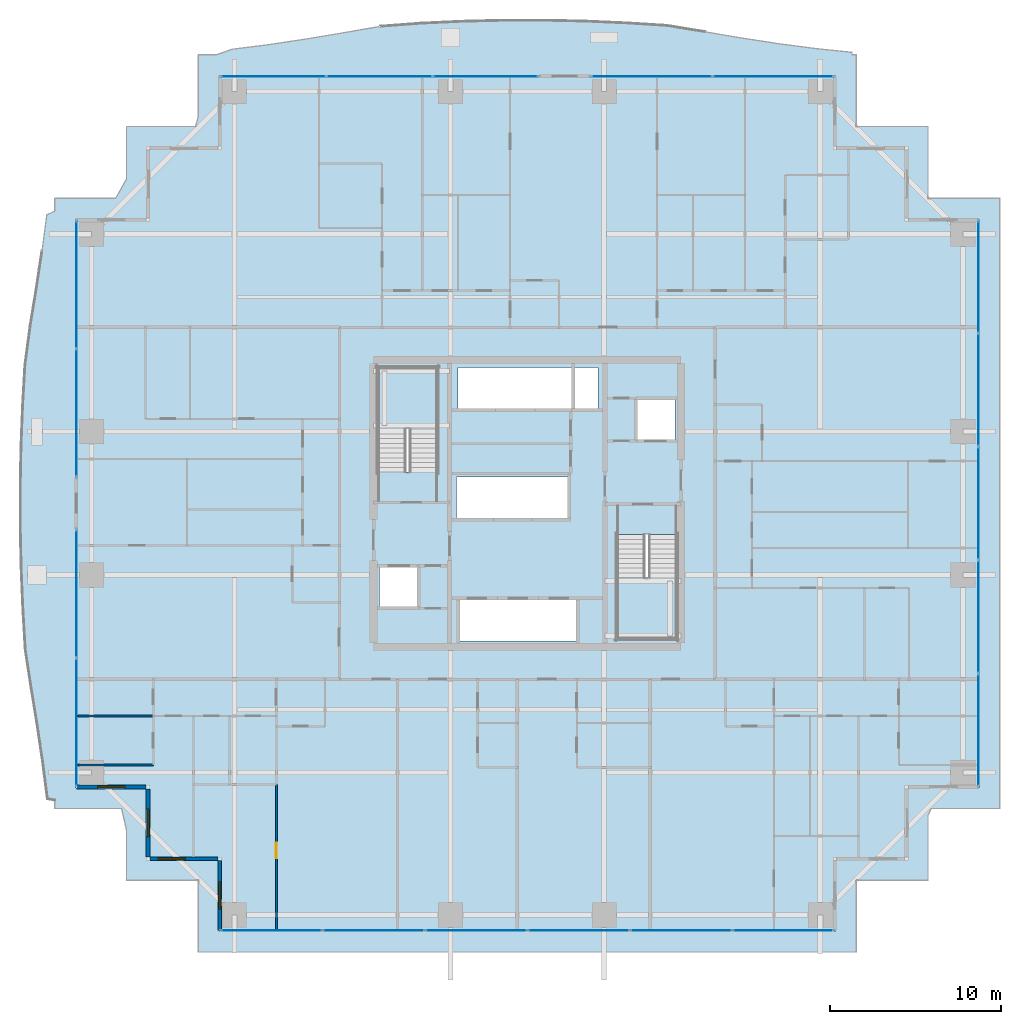
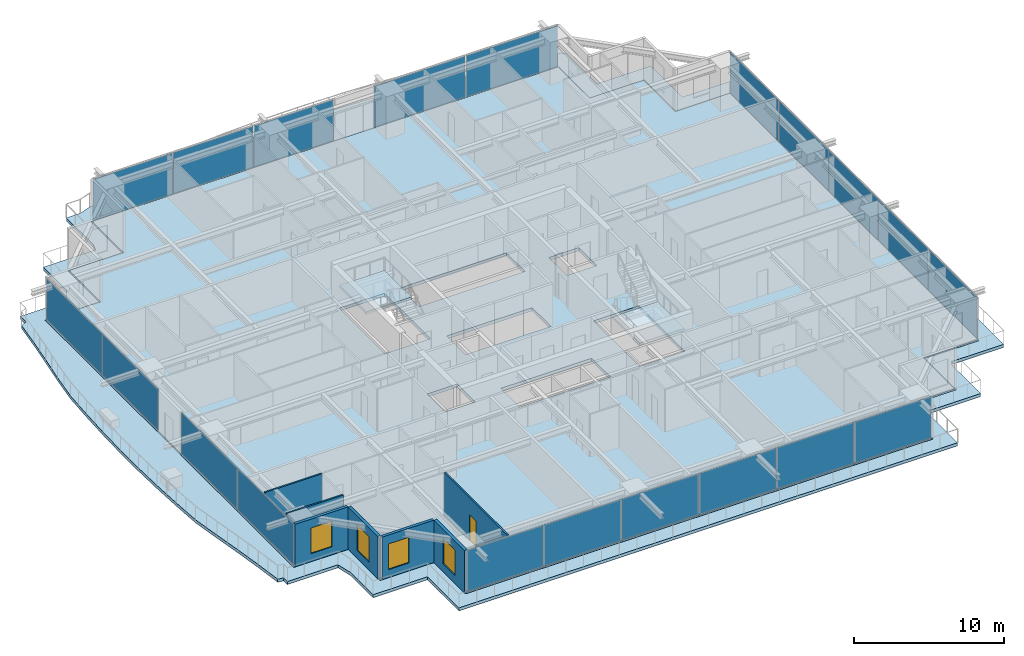
# One storey, part 22 of 35: 20 plates, 7 walls, 4 slabs, 4 windows, 1 door, 5 openings, 8 elements without a shape of their own.
"""IFC4 building model written with IfcOpenShell, lengths in metres."""

from ifc_helpers import new_model, si_unit, direction, frame, frame_2d, origin, origin_2d, place, context, subcontext, project, spatial, polyline, rectangle, outline, extrude, source, transform, mapped, material, layer, layer_set, type_object, element, fill, aggregate, save


model = new_model("IFC4")

# Units and contexts
model_context = context("Model", 3, precision=1e-05, world=origin(), true_north=direction((0.0, 1.0)))
body_context = subcontext(model_context, "Body", "Model", "MODEL_VIEW")
ifc_project = project(units=[si_unit("LENGTHUNIT", "METRE"), si_unit("AREAUNIT", "SQUARE_METRE"), si_unit("VOLUMEUNIT", "CUBIC_METRE"), si_unit("PLANEANGLEUNIT", "RADIAN"), si_unit("MASSUNIT", "GRAM", prefix="KILO")], contexts=[model_context])

# Site, building, storey
site_placement = place(None, origin())
site = spatial("IfcSite", under=ifc_project, at=site_placement, CompositionType="ELEMENT")
building_placement = place(site_placement, origin())
building = spatial("IfcBuilding", under=site, at=building_placement, Name="Serunith Strait Residences", CompositionType="ELEMENT")
storey_placement = place(building_placement, frame((0.0, 0.0, 56.699951171875)))
storey = spatial("IfcBuildingStorey", under=building, at=storey_placement, Name="L13", CompositionType="ELEMENT", Elevation=56.699951171875)

# Slab
ifc_material_1 = material(Name="Concrete C50/60", Category="concrete")
ifc_layer_1 = layer(ifc_material_1, 0.239990234375, Name="Concrete C50/60")
ifc_layer_set_1 = layer_set([ifc_layer_1], Name="Concrete C50/60")
slab_type_1 = type_object("IfcSlabType", Name="SLB-BALC-240", PredefinedType="FLOOR", material=ifc_layer_set_1)
slab_1_placement = place(storey_placement, frame((0.0, 0.0, -0.2900390625)))
element("IfcSlab", 1, at=slab_1_placement, inside=storey, type_object=slab_type_1, Name="L13 Planted Vertical-Forest Balcony Slab", PredefinedType="FLOOR", context=body_context, shape_type="SweptSolid", body=[
    extrude(outline(polyline([(4.739990234375, 7.830078125), (4.31982421875, 7.898193359375), (4.046630859375, 10.02978515625), (3.726806640625, 12.184814453125), (3.3720703125, 14.378662109375), (3.024169921875, 16.632080078125), (2.885498046875, 18.98583984375), (2.785400390625, 21.3671875), (2.731689453125, 23.76708984375), (2.728515625, 26.174072265625), (2.77587890625, 28.57568359375), (2.8701171875, 30.960693359375), (3.00341796875, 33.3193359375), (3.310302734375, 35.594482421875), (3.66796875, 37.797607421875), (3.994384765625, 39.958740234375), (4.275390625, 42.09423828125), (4.739990234375, 42.3076171875), (4.739990234375, 43.06005859375), (8.30126953125, 43.06005859375), (8.93994140625, 44.177978515625), (8.93994140625, 47.260009765625), (12.981689453125, 47.260009765625), (13.139892578125, 47.857666015625), (13.139892578125, 51.4599609375), (14.21484375, 51.4599609375), (15.10595703125, 51.779052734375), (17.231689453125, 52.046630859375), (19.377197265625, 52.368408203125), (21.560546875, 52.734619140625), (23.80078125, 53.11962890625), (26.1533203125, 53.29638671875), (28.544921875, 53.407470703125), (30.95849609375, 53.46728515625), (33.380126953125, 53.470947265625), (35.795654296875, 53.418212890625), (38.19140625, 53.314208984375), (40.55712890625, 53.16748046875), (42.814208984375, 52.7998046875), (45.007080078125, 52.42919921875), (47.15869140625, 52.099365234375), (49.28759765625, 51.822509765625), (51.40771484375, 51.599609375), (51.40673828125, 51.4599609375), (51.659912109375, 51.4599609375), (51.659912109375, 47.260009765625), (55.860107421875, 47.260009765625), (55.860107421875, 43.06005859375), (60.06005859375, 43.06005859375), (60.06005859375, 7.340087890625), (56.041259765625, 7.340087890625), (55.860107421875, 6.9423828125), (55.860107421875, 3.139892578125), (51.659912109375, 3.139892578125), (51.659912109375, -1.06005859375), (13.139892578125, -1.06005859375), (13.139892578125, 3.139892578125), (8.93994140625, 3.139892578125), (8.93994140625, 6.08251953125), (8.65087890625, 7.340087890625), (4.739990234375, 7.340087890625), (4.739990234375, 7.830078125)]), holes=[polyline([(50.455078125, 0.14501953125), (50.455078125, 4.344970703125), (54.655029296875, 4.344970703125), (54.655029296875, 8.544921875), (58.85498046875, 8.544921875), (58.85498046875, 41.85498046875), (54.655029296875, 41.85498046875), (54.655029296875, 46.054931640625), (50.455078125, 46.054931640625), (50.455078125, 50.2548828125), (14.344970703125, 50.2548828125), (14.344970703125, 46.054931640625), (10.14501953125, 46.054931640625), (10.14501953125, 41.85498046875), (5.945068359375, 41.85498046875), (5.945068359375, 8.544921875), (10.14501953125, 8.544921875), (10.14501953125, 4.344970703125), (14.344970703125, 4.344970703125), (14.344970703125, 0.14501953125), (50.455078125, 0.14501953125)])]), origin(), (0.0, 0.0, 1.0), 0.239990234375),
])

# Stair, slab
stair_type_1 = type_object("IfcStairType", Name="STR-CORE-1", PredefinedType="HALF_TURN_STAIR", material=ifc_material_1)
stair_1_placement = place(storey_placement, origin())
stair_1 = element("IfcStair", 2, at=stair_1_placement, inside=storey, type_object=stair_type_1, Name="L13 Protected Escape Stair ST-1", PredefinedType="HALF_TURN_STAIR")
ifc_layer_2 = layer(ifc_material_1, 0.199951171875, Name="Concrete C50/60")
ifc_layer_set_2 = layer_set([ifc_layer_2], Name="Concrete C50/60")
slab_type_2 = type_object("IfcSlabType", Name="SLB-LAND-200", PredefinedType="LANDING", material=ifc_layer_set_2)
slab_2_placement = place(storey_placement, frame((0.0, 0.0, 1.675048828125)))
slab_2 = element("IfcSlab", 3, at=slab_2_placement, type_object=slab_type_2, Name="ST-1 landing 1", PredefinedType="LANDING", context=body_context, shape_type="SweptSolid", body=[
    extrude(outline(polyline([(27.14990234375, 29.550048828125), (27.14990234375, 33.14990234375), (23.64990234375, 33.14990234375), (23.64990234375, 29.550048828125), (27.14990234375, 29.550048828125)])), origin(), (0.0, 0.0, 1.0), 0.199951171875),
])
aggregate(stair_1, [slab_2])

stair_type_2 = type_object("IfcStairType", Name="STR-CORE-2", PredefinedType="HALF_TURN_STAIR", material=ifc_material_1)
stair_2_placement = place(storey_placement, origin())
stair_2 = element("IfcStair", 4, at=stair_2_placement, inside=storey, type_object=stair_type_2, Name="L13 Protected Escape Stair ST-2", PredefinedType="HALF_TURN_STAIR")
slab_3_placement = place(storey_placement, frame((0.0, 0.0, 1.675048828125)))
slab_3 = element("IfcSlab", 5, at=slab_3_placement, type_object=slab_type_2, Name="ST-2 landing 1", PredefinedType="LANDING", context=body_context, shape_type="SweptSolid", body=[
    extrude(outline(polyline([(37.64990234375, 20.85009765625), (37.64990234375, 17.25), (41.14990234375, 17.25), (41.14990234375, 20.85009765625), (37.64990234375, 20.85009765625)])), origin(), (0.0, 0.0, 1.0), 0.199951171875),
])
aggregate(stair_2, [slab_3])

# Slab
ifc_material_2 = material(Name="Concrete C60/75", Category="concrete")
ifc_layer_3 = layer(ifc_material_2, 0.260009765625, Name="Concrete C60/75")
ifc_layer_set_3 = layer_set([ifc_layer_3], Name="Concrete C60/75")
slab_type_3 = type_object("IfcSlabType", Name="SLB-TWR-260-Z1", PredefinedType="FLOOR", material=ifc_layer_set_3)
slab_4_placement = place(storey_placement, frame((0.0, 0.0, -0.260009765625)))
element("IfcSlab", 6, at=slab_4_placement, inside=storey, type_object=slab_type_3, Name="L13 Structural Floor Plate", PredefinedType="FLOOR", context=body_context, shape_type="SweptSolid", body=[
    extrude(outline(polyline([(14.39990234375, 4.39990234375), (10.199951171875, 4.39990234375), (10.199951171875, 8.60009765625), (6.0, 8.60009765625), (6.0, 41.800048828125), (10.199951171875, 41.800048828125), (10.199951171875, 46.0), (14.39990234375, 46.0), (14.39990234375, 50.199951171875), (50.39990234375, 50.199951171875), (50.39990234375, 46.0), (54.60009765625, 46.0), (54.60009765625, 41.800048828125), (58.800048828125, 41.800048828125), (58.800048828125, 8.60009765625), (54.60009765625, 8.60009765625), (54.60009765625, 4.39990234375), (50.39990234375, 4.39990234375), (50.39990234375, 0.199951171875), (14.39990234375, 0.199951171875), (14.39990234375, 4.39990234375)]), holes=[polyline([(41.14990234375, 17.25), (41.14990234375, 23.3701171875), (37.64990234375, 23.3701171875), (37.64990234375, 17.25), (41.14990234375, 17.25)]), polyline([(41.050048828125, 31.25), (38.75, 31.25), (38.75, 28.85009765625), (41.050048828125, 28.85009765625), (41.050048828125, 31.25)]), polyline([(36.550048828125, 33.14990234375), (28.35009765625, 33.14990234375), (28.35009765625, 30.64990234375), (36.550048828125, 30.64990234375), (36.550048828125, 33.14990234375)]), polyline([(28.35009765625, 19.64990234375), (28.35009765625, 17.14990234375), (35.35009765625, 17.14990234375), (35.35009765625, 19.64990234375), (28.35009765625, 19.64990234375)]), polyline([(34.85009765625, 26.75), (28.25, 26.75), (28.25, 24.25), (34.85009765625, 24.25), (34.85009765625, 26.75)]), polyline([(23.64990234375, 33.14990234375), (23.64990234375, 27.030029296875), (27.14990234375, 27.030029296875), (27.14990234375, 33.14990234375), (23.64990234375, 33.14990234375)]), polyline([(26.050048828125, 21.550048828125), (23.75, 21.550048828125), (23.75, 19.14990234375), (26.050048828125, 19.14990234375), (26.050048828125, 21.550048828125)])]), origin(), (0.0, 0.0, 1.0), 0.260009765625),
])

# Curtain wall, plates
ifc_material_3 = material(Name="Pale-Champagne Anodised Aluminium", Category="aluminium")
ifc_layer_4 = layer(ifc_material_3, 0.199951171875, Name="Pale-Champagne Anodised Aluminium")
ifc_layer_set_4 = layer_set([ifc_layer_4], Name="Pale-Champagne Anodised Aluminium")
curtain_wall_type = type_object("IfcCurtainWallType", Name="CW-SYS1", PredefinedType="NOTDEFINED", material=ifc_layer_set_4)
curtain_wall_1_placement = place(storey_placement, origin())
curtain_wall_1 = element("IfcCurtainWall", 7, at=curtain_wall_1_placement, inside=storey, type_object=curtain_wall_type, Name="L13 S Unitised Fritted Curtain Wall", PredefinedType="NOTDEFINED")
ifc_material_4 = material(Name="Ceramic-Fritted Low-E Double Glazing 28mm", Category="glass")
ifc_layer_5 = layer(ifc_material_4, 0.028076171875, Name="Ceramic-Fritted Low-E Double Glazing 28mm")
ifc_layer_set_5 = layer_set([ifc_layer_5], Name="Ceramic-Fritted Low-E Double Glazing 28mm")
plate_type = type_object("IfcPlateType", Name="CW-SYS1-PNL", PredefinedType="CURTAIN_PANEL", material=ifc_layer_set_5)
shared_shape_1 = source(origin(), body_context, "Body", "SweptSolid", [
    extrude(rectangle(XDim=5.89501953125, YDim=0.028076171875, at=origin_2d()), origin(), (0.0, 0.0, 1.0), 3.35498046875),
])
plate_1_placement = place(storey_placement, frame((17.41748046875, 0.199951171875, 0.06005859375), z_axis=(0.0, 0.0, 1.0), x_axis=(1.0, 0.0, 0.0)))
plate_1 = element("IfcPlate", 8, at=plate_1_placement, type_object=plate_type, Name="CW-1 panel 1.1", PredefinedType="CURTAIN_PANEL", context=body_context, shape_type="MappedRepresentation", body=[
    mapped(shared_shape_1, transform((0.0, 0.0, 0.0), scale=1.0)),
])
plate_2_placement = place(storey_placement, frame((47.382568359375, 0.199951171875, 0.06005859375), z_axis=(0.0, 0.0, 1.0), x_axis=(1.0, 0.0, 0.0)))
plate_2 = element("IfcPlate", 9, at=plate_2_placement, type_object=plate_type, Name="CW-1 panel 6.1", PredefinedType="CURTAIN_PANEL", context=body_context, shape_type="MappedRepresentation", body=[
    mapped(shared_shape_1, transform((0.0, 0.0, 0.0), scale=1.0)),
])
shared_shape_2 = source(origin(), body_context, "Body", "SweptSolid", [
    extrude(rectangle(XDim=5.929931640625, YDim=0.028076171875, at=origin_2d()), origin(), (0.0, 0.0, 1.0), 3.35498046875),
])
plate_3_placement = place(storey_placement, frame((23.39990234375, 0.199951171875, 0.06005859375), z_axis=(0.0, 0.0, 1.0), x_axis=(1.0, 0.0, 0.0)))
plate_3 = element("IfcPlate", 10, at=plate_3_placement, type_object=plate_type, Name="CW-1 panel 2.1", PredefinedType="CURTAIN_PANEL", context=body_context, shape_type="MappedRepresentation", body=[
    mapped(shared_shape_2, transform((0.0, 0.0, 0.0), scale=1.0)),
])
plate_4_placement = place(storey_placement, frame((29.39990234375, 0.199951171875, 0.06005859375), z_axis=(0.0, 0.0, 1.0), x_axis=(1.0, 0.0, 0.0)))
plate_4 = element("IfcPlate", 11, at=plate_4_placement, type_object=plate_type, Name="CW-1 panel 3.1", PredefinedType="CURTAIN_PANEL", context=body_context, shape_type="MappedRepresentation", body=[
    mapped(shared_shape_2, transform((0.0, 0.0, 0.0), scale=1.0)),
])
plate_5_placement = place(storey_placement, frame((35.39990234375, 0.199951171875, 0.06005859375), z_axis=(0.0, 0.0, 1.0), x_axis=(1.0, 0.0, 0.0)))
plate_5 = element("IfcPlate", 12, at=plate_5_placement, type_object=plate_type, Name="CW-1 panel 4.1", PredefinedType="CURTAIN_PANEL", context=body_context, shape_type="MappedRepresentation", body=[
    mapped(shared_shape_2, transform((0.0, 0.0, 0.0), scale=1.0)),
])
plate_6_placement = place(storey_placement, frame((41.39990234375, 0.199951171875, 0.06005859375), z_axis=(0.0, 0.0, 1.0), x_axis=(1.0, 0.0, 0.0)))
plate_6 = element("IfcPlate", 13, at=plate_6_placement, type_object=plate_type, Name="CW-1 panel 5.1", PredefinedType="CURTAIN_PANEL", context=body_context, shape_type="MappedRepresentation", body=[
    mapped(shared_shape_2, transform((0.0, 0.0, 0.0), scale=1.0)),
])
aggregate(curtain_wall_1, [plate_1, plate_3, plate_4, plate_5, plate_6, plate_2])

curtain_wall_2_placement = place(storey_placement, origin())
curtain_wall_2 = element("IfcCurtainWall", 14, at=curtain_wall_2_placement, inside=storey, type_object=curtain_wall_type, Name="L13 W Unitised Fritted Curtain Wall", PredefinedType="NOTDEFINED")
shared_shape_3 = source(origin(), body_context, "Body", "SweptSolid", [
    extrude(rectangle(XDim=7.445068359375, YDim=0.028076171875, at=origin_2d()), origin(), (0.0, 0.0, 1.0), 3.35498046875),
])
plate_7_placement = place(storey_placement, frame((6.0, 38.007568359375, 0.06005859375), z_axis=(0.0, 0.0, 1.0), x_axis=(0.0, -1.0, 0.0)))
plate_7 = element("IfcPlate", 15, at=plate_7_placement, type_object=plate_type, Name="CW-1 panel 1.1", PredefinedType="CURTAIN_PANEL", context=body_context, shape_type="MappedRepresentation", body=[
    mapped(shared_shape_3, transform((0.0, 0.0, 0.0), scale=1.0)),
])
plate_8_placement = place(storey_placement, frame((6.0, 30.492431640625, 0.06005859375), z_axis=(0.0, 0.0, 1.0), x_axis=(0.0, -1.0, 0.0)))
plate_8 = element("IfcPlate", 16, at=plate_8_placement, type_object=plate_type, Name="CW-1 panel 2.1", PredefinedType="CURTAIN_PANEL", context=body_context, shape_type="MappedRepresentation", body=[
    mapped(shared_shape_3, transform((0.0, 0.0, 0.0), scale=1.0)),
])
aggregate(curtain_wall_2, [plate_7, plate_8])

curtain_wall_3_placement = place(storey_placement, origin())
curtain_wall_3 = element("IfcCurtainWall", 17, at=curtain_wall_3_placement, inside=storey, type_object=curtain_wall_type, Name="L13 W Unitised Fritted Curtain Wall", PredefinedType="NOTDEFINED")
plate_9_placement = place(storey_placement, frame((6.0, 19.907470703125, 0.06005859375), z_axis=(0.0, 0.0, 1.0), x_axis=(0.0, -1.0, 0.0)))
plate_9 = element("IfcPlate", 18, at=plate_9_placement, type_object=plate_type, Name="CW-1 panel 1.1", PredefinedType="CURTAIN_PANEL", context=body_context, shape_type="MappedRepresentation", body=[
    mapped(shared_shape_3, transform((0.0, 0.0, 0.0), scale=1.0)),
])
plate_10_placement = place(storey_placement, frame((6.0, 12.392578125, 0.06005859375), z_axis=(0.0, 0.0, 1.0), x_axis=(0.0, -1.0, 0.0)))
plate_10 = element("IfcPlate", 19, at=plate_10_placement, type_object=plate_type, Name="CW-1 panel 2.1", PredefinedType="CURTAIN_PANEL", context=body_context, shape_type="MappedRepresentation", body=[
    mapped(shared_shape_3, transform((0.0, 0.0, 0.0), scale=1.0)),
])
aggregate(curtain_wall_3, [plate_9, plate_10])

curtain_wall_4_placement = place(storey_placement, origin())
curtain_wall_4 = element("IfcCurtainWall", 20, at=curtain_wall_4_placement, inside=storey, type_object=curtain_wall_type, Name="L13 E Unitised Fritted Curtain Wall", PredefinedType="NOTDEFINED")
shared_shape_4 = source(origin(), body_context, "Body", "SweptSolid", [
    extrude(rectangle(XDim=6.534912109375, YDim=0.028076171875, at=origin_2d()), origin(), (0.0, 0.0, 1.0), 3.35498046875),
])
plate_11_placement = place(storey_placement, frame((58.800048828125, 11.9375, 0.06005859375), z_axis=(0.0, 0.0, 1.0), x_axis=(0.0, 1.0, 0.0)))
plate_11 = element("IfcPlate", 21, at=plate_11_placement, type_object=plate_type, Name="CW-1 panel 1.1", PredefinedType="CURTAIN_PANEL", context=body_context, shape_type="MappedRepresentation", body=[
    mapped(shared_shape_4, transform((0.0, 0.0, 0.0), scale=1.0)),
])
plate_12_placement = place(storey_placement, frame((58.800048828125, 38.46240234375, 0.06005859375), z_axis=(0.0, 0.0, 1.0), x_axis=(0.0, 1.0, 0.0)))
plate_12 = element("IfcPlate", 22, at=plate_12_placement, type_object=plate_type, Name="CW-1 panel 5.1", PredefinedType="CURTAIN_PANEL", context=body_context, shape_type="MappedRepresentation", body=[
    mapped(shared_shape_4, transform((0.0, 0.0, 0.0), scale=1.0)),
])
shared_shape_5 = source(origin(), body_context, "Body", "SweptSolid", [
    extrude(rectangle(XDim=6.570068359375, YDim=0.028076171875, at=origin_2d()), origin(), (0.0, 0.0, 1.0), 3.35498046875),
])
plate_13_placement = place(storey_placement, frame((58.800048828125, 18.56005859375, 0.06005859375), z_axis=(0.0, 0.0, 1.0), x_axis=(0.0, 1.0, 0.0)))
plate_13 = element("IfcPlate", 23, at=plate_13_placement, type_object=plate_type, Name="CW-1 panel 2.1", PredefinedType="CURTAIN_PANEL", context=body_context, shape_type="MappedRepresentation", body=[
    mapped(shared_shape_5, transform((0.0, 0.0, 0.0), scale=1.0)),
])
plate_14_placement = place(storey_placement, frame((58.800048828125, 25.199951171875, 0.06005859375), z_axis=(0.0, 0.0, 1.0), x_axis=(0.0, 1.0, 0.0)))
plate_14 = element("IfcPlate", 24, at=plate_14_placement, type_object=plate_type, Name="CW-1 panel 3.1", PredefinedType="CURTAIN_PANEL", context=body_context, shape_type="MappedRepresentation", body=[
    mapped(shared_shape_5, transform((0.0, 0.0, 0.0), scale=1.0)),
])
plate_15_placement = place(storey_placement, frame((58.800048828125, 31.840087890625, 0.06005859375), z_axis=(0.0, 0.0, 1.0), x_axis=(0.0, 1.0, 0.0)))
plate_15 = element("IfcPlate", 25, at=plate_15_placement, type_object=plate_type, Name="CW-1 panel 4.1", PredefinedType="CURTAIN_PANEL", context=body_context, shape_type="MappedRepresentation", body=[
    mapped(shared_shape_5, transform((0.0, 0.0, 0.0), scale=1.0)),
])
aggregate(curtain_wall_4, [plate_11, plate_13, plate_14, plate_15, plate_12])

curtain_wall_5_placement = place(storey_placement, origin())
curtain_wall_5 = element("IfcCurtainWall", 26, at=curtain_wall_5_placement, inside=storey, type_object=curtain_wall_type, Name="L13 N Unitised Fritted Curtain Wall", PredefinedType="NOTDEFINED")
shared_shape_6 = source(origin(), body_context, "Body", "SweptSolid", [
    extrude(rectangle(XDim=7.044921875, YDim=0.028076171875, at=origin_2d()), origin(), (0.0, 0.0, 1.0), 3.35498046875),
])
plate_16_placement = place(storey_placement, frame((46.8076171875, 50.199951171875, 0.06005859375), z_axis=(0.0, 0.0, 1.0), x_axis=(-1.0, 0.0, 0.0)))
plate_16 = element("IfcPlate", 27, at=plate_16_placement, type_object=plate_type, Name="CW-1 panel 1.1", PredefinedType="CURTAIN_PANEL", context=body_context, shape_type="MappedRepresentation", body=[
    mapped(shared_shape_6, transform((0.0, 0.0, 0.0), scale=1.0)),
])
plate_17_placement = place(storey_placement, frame((39.6923828125, 50.199951171875, 0.06005859375), z_axis=(0.0, 0.0, 1.0), x_axis=(-1.0, 0.0, 0.0)))
plate_17 = element("IfcPlate", 28, at=plate_17_placement, type_object=plate_type, Name="CW-1 panel 2.1", PredefinedType="CURTAIN_PANEL", context=body_context, shape_type="MappedRepresentation", body=[
    mapped(shared_shape_6, transform((0.0, 0.0, 0.0), scale=1.0)),
])
aggregate(curtain_wall_5, [plate_16, plate_17])

curtain_wall_6_placement = place(storey_placement, origin())
curtain_wall_6 = element("IfcCurtainWall", 29, at=curtain_wall_6_placement, inside=storey, type_object=curtain_wall_type, Name="L13 N Unitised Fritted Curtain Wall", PredefinedType="NOTDEFINED")
shared_shape_7 = source(origin(), body_context, "Body", "SweptSolid", [
    extrude(rectangle(XDim=6.12841796875, YDim=0.028076171875, at=origin_2d()), origin(), (0.0, 0.0, 1.0), 3.35498046875),
])
plate_18_placement = place(storey_placement, frame((29.9658203125, 50.199951171875, 0.06005859375), z_axis=(0.0, 0.0, 1.0), x_axis=(-1.0, 0.0, 0.0)))
plate_18 = element("IfcPlate", 30, at=plate_18_placement, type_object=plate_type, Name="CW-1 panel 1.1", PredefinedType="CURTAIN_PANEL", context=body_context, shape_type="MappedRepresentation", body=[
    mapped(shared_shape_7, transform((0.0, 0.0, 0.0), scale=1.0)),
])
plate_19_placement = place(storey_placement, frame((17.5341796875, 50.199951171875, 0.06005859375), z_axis=(0.0, 0.0, 1.0), x_axis=(-1.0, 0.0, 0.0)))
plate_19 = element("IfcPlate", 31, at=plate_19_placement, type_object=plate_type, Name="CW-1 panel 3.1", PredefinedType="CURTAIN_PANEL", context=body_context, shape_type="MappedRepresentation", body=[
    mapped(shared_shape_7, transform((0.0, 0.0, 0.0), scale=1.0)),
])
shared_shape_8 = source(origin(), body_context, "Body", "SweptSolid", [
    extrude(rectangle(XDim=6.163330078125, YDim=0.028076171875, at=origin_2d()), origin(), (0.0, 0.0, 1.0), 3.35498046875),
])
plate_20_placement = place(storey_placement, frame((23.75, 50.199951171875, 0.06005859375), z_axis=(0.0, 0.0, 1.0), x_axis=(-1.0, 0.0, 0.0)))
plate_20 = element("IfcPlate", 32, at=plate_20_placement, type_object=plate_type, Name="CW-1 panel 2.1", PredefinedType="CURTAIN_PANEL", context=body_context, shape_type="MappedRepresentation", body=[
    mapped(shared_shape_8, transform((0.0, 0.0, 0.0), scale=1.0)),
])
aggregate(curtain_wall_6, [plate_18, plate_20, plate_19])

# Wall, opening, window
ifc_material_5 = material(Name="Pale-Champagne Aluminium Insulated Panel", Category="aluminium")
ifc_layer_6 = layer(ifc_material_5, 0.219970703125, Name="Pale-Champagne Aluminium Insulated Panel")
ifc_layer_set_6 = layer_set([ifc_layer_6], Name="Pale-Champagne Aluminium Insulated Panel")
wall_type_1 = type_object("IfcWallType", Name="EW-ALUM-220", PredefinedType="ELEMENTEDWALL", material=ifc_layer_set_6)
wall_1_placement = place(storey_placement, frame((6.0, 8.60009765625, 0.0), z_axis=(0.0, 0.0, 1.0), x_axis=(1.0, 0.0, 0.0)))
wall_1 = element("IfcWall", 33, at=wall_1_placement, inside=storey, type_object=wall_type_1, Name="L13 Girih Serrated Corner Wall 17", PredefinedType="ELEMENTEDWALL", context=body_context, shape_type="SweptSolid", body=[
    extrude(rectangle(XDim=4.090087890625, YDim=0.219970703125, at=frame_2d((2.044921875, 0.0))), origin(), (0.0, 0.0, 1.0), 3.47509765625),
])
opening_1_placement = place(wall_1_placement, frame((1.2451171875, 0.0, 0.64990234375)))
opening_1 = element("IfcOpeningElement", 34, at=opening_1_placement, cuts=wall_1, Name="Opening W-02", PredefinedType="OPENING", context=body_context, shape_type="SweptSolid", body=[
    extrude(rectangle(XDim=1.60009765625, YDim=2.10009765625, at=frame_2d((0.800048828125, 1.050048828125))), frame((0.0, 0.1201171875, 0.0), z_axis=(0.0, -1.0, 0.0), x_axis=(1.0, 0.0, 0.0)), (0.0, 0.0, 1.0), 0.239990234375),
])
ifc_material_6 = material(Name="Ceramic-Fritted Operable Aluminium Window Glass", Category="aluminium")
window_type = type_object("IfcWindowType", Name="WIN-C2", PartitioningType="DOUBLE_PANEL_VERTICAL", PredefinedType="WINDOW", material=ifc_material_6)
shared_shape_9 = source(origin(), body_context, "Body", "SweptSolid", [
    extrude(rectangle(XDim=1.60009765625, YDim=2.10009765625, at=frame_2d((0.800048828125, 1.050048828125))), frame((0.0, 0.030029296875, 0.0), z_axis=(0.0, -1.0, 0.0), x_axis=(1.0, 0.0, 0.0)), (0.0, 0.0, 1.0), 0.06005859375),
])
window_1_placement = place(opening_1_placement, origin())
window_1 = element("IfcWindow", 35, at=window_1_placement, inside=storey, type_object=window_type, Name="L13 Corner Operable Fritted Window 17", OverallHeight=2.10009765625, OverallWidth=1.60009765625, PartitioningType="SINGLE_PANEL", PredefinedType="WINDOW", context=body_context, shape_type="MappedRepresentation", body=[
    mapped(shared_shape_9, transform((0.0, 0.0, 0.0), scale=1.0)),
])
fill(opening_1, window_1)

wall_2_placement = place(storey_placement, frame((10.199951171875, 8.489990234375, 0.0), z_axis=(0.0, 0.0, 1.0), x_axis=(0.0, -1.0, 0.0)))
wall_2 = element("IfcWall", 36, at=wall_2_placement, inside=storey, type_object=wall_type_1, Name="L13 Girih Serrated Corner Wall 18", PredefinedType="ELEMENTEDWALL", context=body_context, shape_type="SweptSolid", body=[
    extrude(rectangle(XDim=3.97998046875, YDim=0.219970703125, at=frame_2d((1.989990234375, 0.0))), origin(), (0.0, 0.0, 1.0), 3.47509765625),
])
opening_2_placement = place(wall_2_placement, frame((1.18994140625, 0.0, 0.64990234375)))
opening_2 = element("IfcOpeningElement", 37, at=opening_2_placement, cuts=wall_2, Name="Opening W-02", PredefinedType="OPENING", context=body_context, shape_type="SweptSolid", body=[
    extrude(rectangle(XDim=1.60009765625, YDim=2.10009765625, at=frame_2d((0.800048828125, 1.050048828125))), frame((0.0, 0.1201171875, 0.0), z_axis=(0.0, -1.0, 0.0), x_axis=(1.0, 0.0, 0.0)), (0.0, 0.0, 1.0), 0.239990234375),
])
window_2_placement = place(opening_2_placement, origin())
window_2 = element("IfcWindow", 38, at=window_2_placement, inside=storey, type_object=window_type, Name="L13 Corner Operable Fritted Window 18", OverallHeight=2.10009765625, OverallWidth=1.60009765625, PartitioningType="SINGLE_PANEL", PredefinedType="WINDOW", context=body_context, shape_type="MappedRepresentation", body=[
    mapped(shared_shape_9, transform((0.0, 0.0, 0.0), scale=1.0)),
])
fill(opening_2, window_2)

wall_3_placement = place(storey_placement, frame((10.31005859375, 4.39990234375, 0.0), z_axis=(0.0, 0.0, 1.0), x_axis=(1.0, 0.0, 0.0)))
wall_3 = element("IfcWall", 39, at=wall_3_placement, inside=storey, type_object=wall_type_1, Name="L13 Girih Serrated Corner Wall 19", PredefinedType="ELEMENTEDWALL", context=body_context, shape_type="SweptSolid", body=[
    extrude(rectangle(XDim=3.97998046875, YDim=0.219970703125, at=frame_2d((1.989990234375, 0.0))), origin(), (0.0, 0.0, 1.0), 3.47509765625),
])
opening_3_placement = place(wall_3_placement, frame((0.47607421875, 0.0, 0.64990234375)))
opening_3 = element("IfcOpeningElement", 40, at=opening_3_placement, cuts=wall_3, Name="Opening W-02", PredefinedType="OPENING", context=body_context, shape_type="SweptSolid", body=[
    extrude(rectangle(XDim=1.60009765625, YDim=2.10009765625, at=frame_2d((0.800048828125, 1.050048828125))), frame((0.0, 0.1201171875, 0.0), z_axis=(0.0, -1.0, 0.0), x_axis=(1.0, 0.0, 0.0)), (0.0, 0.0, 1.0), 0.239990234375),
])
window_3_placement = place(opening_3_placement, origin())
window_3 = element("IfcWindow", 41, at=window_3_placement, inside=storey, type_object=window_type, Name="L13 Corner Operable Fritted Window 19", OverallHeight=2.10009765625, OverallWidth=1.60009765625, PartitioningType="SINGLE_PANEL", PredefinedType="WINDOW", context=body_context, shape_type="MappedRepresentation", body=[
    mapped(shared_shape_9, transform((0.0, 0.0, 0.0), scale=1.0)),
])
fill(opening_3, window_3)

wall_4_placement = place(storey_placement, frame((14.39990234375, 4.2900390625, 0.0), z_axis=(0.0, 0.0, 1.0), x_axis=(0.0, -1.0, 0.0)))
wall_4 = element("IfcWall", 42, at=wall_4_placement, inside=storey, type_object=wall_type_1, Name="L13 Girih Serrated Corner Wall 20", PredefinedType="ELEMENTEDWALL", context=body_context, shape_type="SweptSolid", body=[
    extrude(rectangle(XDim=4.090087890625, YDim=0.219970703125, at=frame_2d((2.044921875, 0.0))), origin(), (0.0, 0.0, 1.0), 3.47509765625),
])
opening_4_placement = place(wall_4_placement, frame((1.2451171875, 0.0, 0.64990234375)))
opening_4 = element("IfcOpeningElement", 43, at=opening_4_placement, cuts=wall_4, Name="Opening W-02", PredefinedType="OPENING", context=body_context, shape_type="SweptSolid", body=[
    extrude(rectangle(XDim=1.60009765625, YDim=2.10009765625, at=frame_2d((0.800048828125, 1.050048828125))), frame((0.0, 0.1201171875, 0.0), z_axis=(0.0, -1.0, 0.0), x_axis=(1.0, 0.0, 0.0)), (0.0, 0.0, 1.0), 0.239990234375),
])
window_4_placement = place(opening_4_placement, origin())
window_4 = element("IfcWindow", 44, at=window_4_placement, inside=storey, type_object=window_type, Name="L13 Corner Operable Fritted Window 20", OverallHeight=2.10009765625, OverallWidth=1.60009765625, PartitioningType="SINGLE_PANEL", PredefinedType="WINDOW", context=body_context, shape_type="MappedRepresentation", body=[
    mapped(shared_shape_9, transform((0.0, 0.0, 0.0), scale=1.0)),
])
fill(opening_4, window_4)

# Wall, opening, door
ifc_material_7 = material(Name="Lightweight steel-stud gypsum partition", Category="steel")
ifc_layer_7 = layer(ifc_material_7, 0.1201171875, Name="Lightweight steel-stud gypsum partition")
ifc_layer_set_7 = layer_set([ifc_layer_7], Name="Lightweight steel-stud gypsum partition")
wall_type_2 = type_object("IfcWallType", Name="IW-PART-120", PredefinedType="PARTITIONING", material=ifc_layer_set_7)
wall_5_placement = place(storey_placement, frame((17.7099609375, 0.294921875, 0.0), z_axis=(0.0, 0.0, 1.0), x_axis=(0.0, 1.0, 0.0)))
wall_5 = element("IfcWall", 45, at=wall_5_placement, inside=storey, type_object=wall_type_2, Name="L13 Partition Wall 031", PredefinedType="PARTITIONING", context=body_context, shape_type="SweptSolid", body=[
    extrude(rectangle(XDim=8.43798828125, YDim=0.1201171875, at=frame_2d((4.218994140625, 0.0))), origin(), (0.0, 0.0, 1.0), 3.489990234375),
])
opening_5_placement = place(wall_5_placement, frame((4.14599609375, 0.0, 0.0)))
opening_5 = element("IfcOpeningElement", 46, at=opening_5_placement, cuts=wall_5, Name="Opening D-RM900", PredefinedType="OPENING", context=body_context, shape_type="SweptSolid", body=[
    extrude(rectangle(XDim=0.89990234375, YDim=2.10009765625, at=frame_2d((0.449951171875, 1.050048828125))), frame((0.0, 0.070068359375, 0.0), z_axis=(0.0, -1.0, 0.0), x_axis=(1.0, 0.0, 0.0)), (0.0, 0.0, 1.0), 0.14013671875),
])
ifc_material_8 = material(Name="Engineered timber flush bedroom door", Category="wood")
door_type = type_object("IfcDoorType", Name="ID-ROOM-900", OperationType="NOTDEFINED", PredefinedType="DOOR", material=ifc_material_8)
shared_shape_10 = source(origin(), body_context, "Body", "SweptSolid", [
    extrude(rectangle(XDim=0.89990234375, YDim=2.10009765625, at=frame_2d((0.449951171875, 1.050048828125))), frame((0.0, 0.02490234375, 0.0), z_axis=(0.0, -1.0, 0.0), x_axis=(1.0, 0.0, 0.0)), (0.0, 0.0, 1.0), 0.050048828125),
])
door_placement = place(opening_5_placement, origin())
door = element("IfcDoor", 47, at=door_placement, inside=storey, type_object=door_type, Name="L13 Formal Dining Room 1 1301 Door", OperationType="SINGLE_SWING_RIGHT", OverallHeight=2.10009765625, OverallWidth=0.89990234375, PredefinedType="DOOR", context=body_context, shape_type="MappedRepresentation", body=[
    mapped(shared_shape_10, transform((0.0, 0.0, 0.0), scale=1.0)),
])
fill(opening_5, door)

# Walls
wall_6_placement = place(storey_placement, frame((6.094970703125, 9.89404296875, 0.0), z_axis=(0.0, 0.0, 1.0), x_axis=(1.0, 0.0, 0.0)))
element("IfcWall", 48, at=wall_6_placement, inside=storey, type_object=wall_type_2, Name="L13 Partition Wall 039", PredefinedType="PARTITIONING", context=body_context, shape_type="SweptSolid", body=[
    extrude(rectangle(XDim=4.4150390625, YDim=0.1201171875, at=frame_2d((2.20751953125, 0.0))), origin(), (0.0, 0.0, 1.0), 3.489990234375),
])
wall_7_placement = place(storey_placement, frame((6.094970703125, 12.75, 0.0), z_axis=(0.0, 0.0, 1.0), x_axis=(1.0, 0.0, 0.0)))
element("IfcWall", 49, at=wall_7_placement, inside=storey, type_object=wall_type_2, Name="L13 Partition Wall 040", PredefinedType="PARTITIONING", context=body_context, shape_type="SweptSolid", body=[
    extrude(rectangle(XDim=4.4130859375, YDim=0.1201171875, at=frame_2d((2.20654296875, 0.0))), origin(), (0.0, 0.0, 1.0), 3.489990234375),
])

save(model, "model.ifc")
